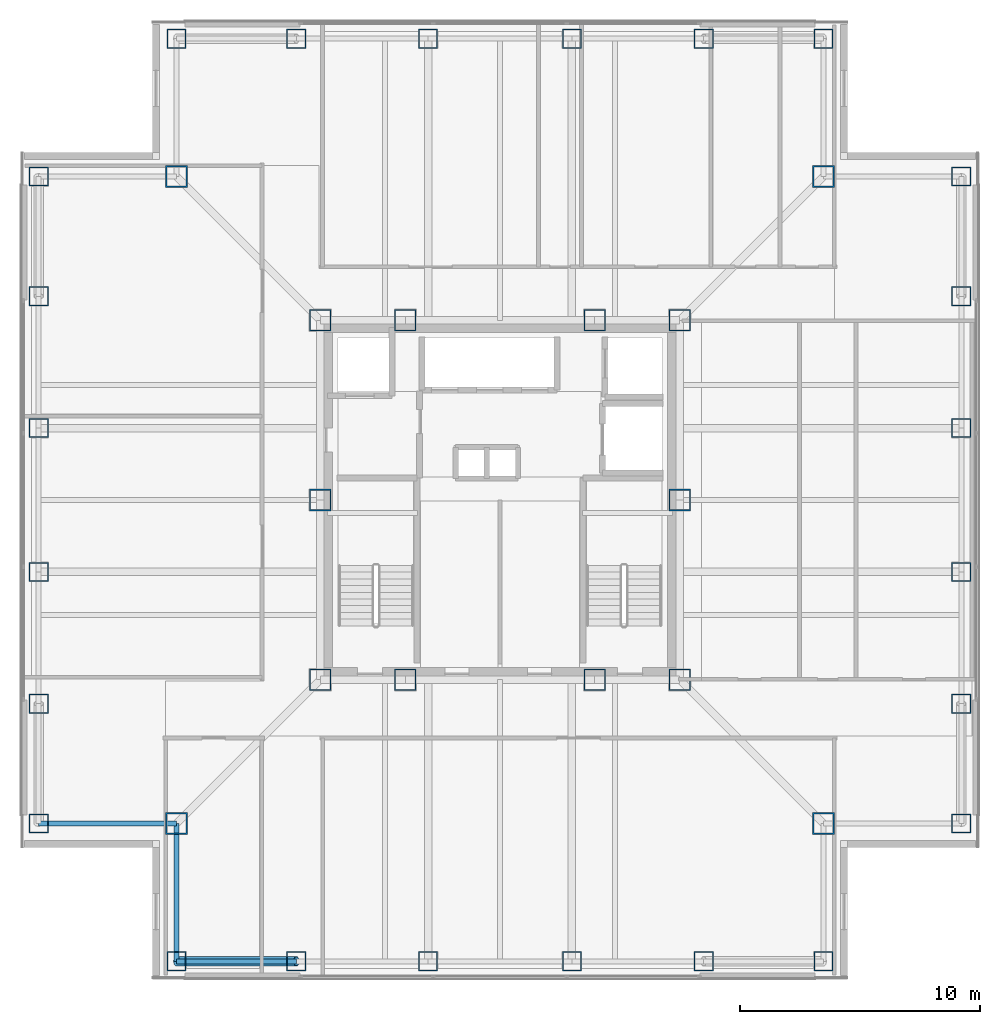
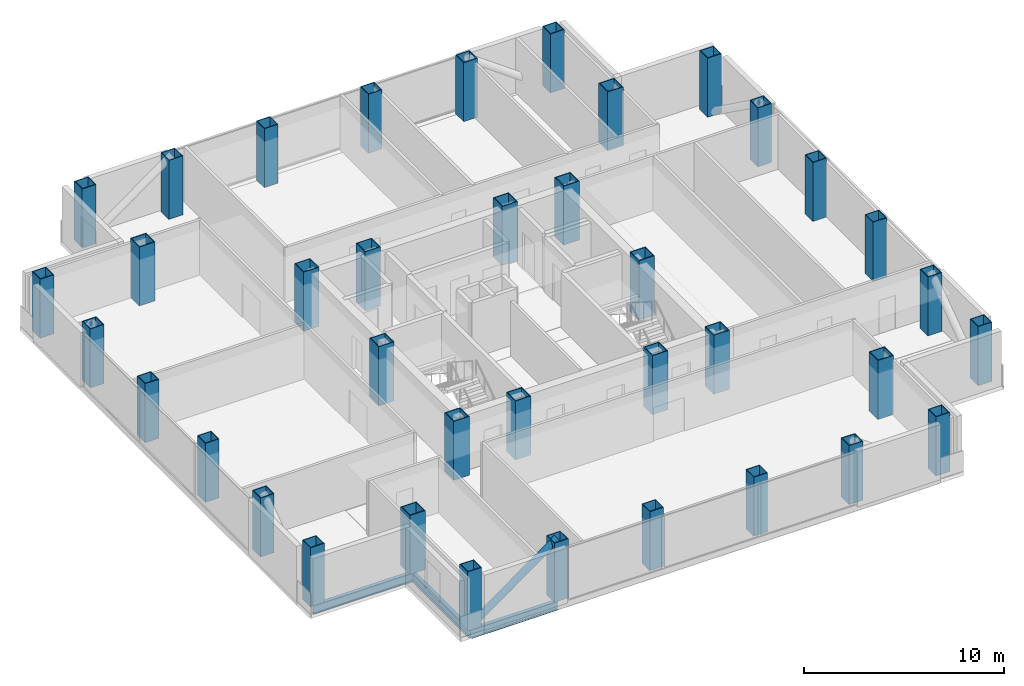
# One storey, part 1 of 16: 38 columns, 3 beams, 1 member.
"""IFC4 building model written with IfcOpenShell, lengths in metres."""

from ifc_helpers import new_model, si_unit, direction, frame, origin, origin_2d, place, context, subcontext, project, spatial, hollow_rectangle, hollow_circle, i_section, extrude, material, material_profile, profile_set, type_object, element, save


model = new_model("IFC4")

# Units and contexts
model_context = context("Model", 3, precision=1e-05, world=origin(), true_north=direction((0.0, 1.0)))
body_context = subcontext(model_context, "Body", "Model", "MODEL_VIEW")
ifc_project = project(units=[si_unit("LENGTHUNIT", "METRE"), si_unit("AREAUNIT", "SQUARE_METRE"), si_unit("VOLUMEUNIT", "CUBIC_METRE"), si_unit("PLANEANGLEUNIT", "RADIAN"), si_unit("MASSUNIT", "GRAM", prefix="KILO")], contexts=[model_context])

# Site, building, storey
site_placement = place(None, origin())
site = spatial("IfcSite", under=ifc_project, at=site_placement, CompositionType="ELEMENT")
building_placement = place(site_placement, origin())
building = spatial("IfcBuilding", under=site, at=building_placement, Name="Trevonay Congress Spire", CompositionType="ELEMENT")
storey_placement = place(building_placement, frame((0.0, 0.0, 180.60009765625)))
storey = spatial("IfcBuildingStorey", under=building, at=storey_placement, Name="L46", CompositionType="ELEMENT", Elevation=180.60009765625)

# Columns
ifc_material_1 = material(Name="Steel ASTM A572 Grade 50", Category="steel")
ifc_material_profile_1 = material_profile(ifc_material_1, hollow_rectangle(XDim=0.89990234375, YDim=0.89990234375, WallThickness=0.044921875, at=origin_2d()), Name="BOX 900x900x45")
ifc_profile_set_1 = profile_set([ifc_material_profile_1], Name="Steel ASTM A572 Grade 50")
column_type_1 = type_object("IfcColumnType", Name="COL-CORE-BOX900", PredefinedType="COLUMN", material=ifc_profile_set_1)
for number, where, z_axis, x_axis, name in (
    (1, (-7.5, -7.5, 0.0), (0.0, 0.0, 1.0), (1.0, 0.0, 0.0), "L46 column C04 at CC-SW"),
    (2, (-3.949951171875, -7.5, 0.0), (0.0, 0.0, 1.0), (1.0, 0.0, 0.0), "L46 column C04 at CC-SMW"),
    (3, (3.949951171875, -7.5, 0.0), (0.0, 0.0, 1.0), (1.0, 0.0, 0.0), "L46 column C04 at CC-SME"),
    (4, (7.5, -7.5, 0.0), (0.0, 0.0, 1.0), (1.0, 0.0, 0.0), "L46 column C04 at CC-SE"),
    (5, (7.5, 0.0, 0.0), (0.0, 0.0, 1.0), (1.0, 0.0, 0.0), "L46 column C04 at CC-E"),
    (6, (7.5, 7.5, 0.0), (0.0, 0.0, 1.0), (1.0, 0.0, 0.0), "L46 column C04 at CC-NE"),
    (7, (3.949951171875, 7.5, 0.0), (0.0, 0.0, 1.0), (1.0, 0.0, 0.0), "L46 column C04 at CC-NME"),
    (8, (-3.949951171875, 7.5, 0.0), (0.0, 0.0, 1.0), (1.0, 0.0, 0.0), "L46 column C04 at CC-NMW"),
    (9, (-7.5, 7.5, 0.0), (0.0, 0.0, 1.0), (1.0, 0.0, 0.0), "L46 column C04 at CC-NW"),
    (10, (-7.5, 0.0, 0.0), (0.0, 0.0, 1.0), (1.0, 0.0, 0.0), "L46 column C04 at CC-W"),
):
    element("IfcColumn", number, at=place(storey_placement, frame(where, z_axis=z_axis, x_axis=x_axis)), inside=storey, type_object=column_type_1, Name=name, PredefinedType="COLUMN", context=body_context, shape_type="SweptSolid", body=[
        extrude(hollow_rectangle(XDim=0.89990234375, YDim=0.89990234375, WallThickness=0.044921875, at=origin_2d()), origin(), (0.0, 0.0, 1.0), 3.599853515625),
    ])
ifc_material_profile_2 = material_profile(ifc_material_1, hollow_rectangle(XDim=0.800048828125, YDim=0.800048828125, WallThickness=0.0400390625, at=origin_2d()), Name="BOX 800x800x40")
ifc_profile_set_2 = profile_set([ifc_material_profile_2], Name="Steel ASTM A572 Grade 50")
column_type_2 = type_object("IfcColumnType", Name="COL-TUBE-BOX800", PredefinedType="COLUMN", material=ifc_profile_set_2)
for number, where, z_axis, x_axis, name in (
    (11, (-13.5, -19.25, 0.0), (0.0, 0.0, 1.0), (1.0, 0.0, 0.0), "L46 column C16 at TS-1"),
    (12, (-13.5, 19.25, 0.0), (0.0, 0.0, 1.0), (1.0, 0.0, 0.0), "L46 column C16 at TN-1"),
    (13, (-19.25, -13.5, 0.0), (0.0, 0.0, 1.0), (1.0, 0.0, 0.0), "L46 column C16 at TW-1"),
    (14, (19.25, -13.5, 0.0), (0.0, 0.0, 1.0), (1.0, 0.0, 0.0), "L46 column C16 at TE-1"),
    (15, (-8.5, -19.25, 0.0), (0.0, 0.0, 1.0), (1.0, 0.0, 0.0), "L46 column C16 at TS-2"),
    (16, (-8.5, 19.25, 0.0), (0.0, 0.0, 1.0), (1.0, 0.0, 0.0), "L46 column C16 at TN-2"),
    (17, (-19.25, -8.5, 0.0), (0.0, 0.0, 1.0), (1.0, 0.0, 0.0), "L46 column C16 at TW-2"),
    (18, (19.25, -8.5, 0.0), (0.0, 0.0, 1.0), (1.0, 0.0, 0.0), "L46 column C16 at TE-2"),
    (19, (-3.0, -19.25, 0.0), (0.0, 0.0, 1.0), (1.0, 0.0, 0.0), "L46 column C16 at TS-3"),
    (20, (-3.0, 19.25, 0.0), (0.0, 0.0, 1.0), (1.0, 0.0, 0.0), "L46 column C16 at TN-3"),
    (21, (-19.25, -3.0, 0.0), (0.0, 0.0, 1.0), (1.0, 0.0, 0.0), "L46 column C16 at TW-3"),
    (22, (19.25, -3.0, 0.0), (0.0, 0.0, 1.0), (1.0, 0.0, 0.0), "L46 column C16 at TE-3"),
    (23, (3.0, -19.25, 0.0), (0.0, 0.0, 1.0), (1.0, 0.0, 0.0), "L46 column C16 at TS-4"),
    (24, (3.0, 19.25, 0.0), (0.0, 0.0, 1.0), (1.0, 0.0, 0.0), "L46 column C16 at TN-4"),
    (25, (-19.25, 3.0, 0.0), (0.0, 0.0, 1.0), (1.0, 0.0, 0.0), "L46 column C16 at TW-4"),
    (26, (19.25, 3.0, 0.0), (0.0, 0.0, 1.0), (1.0, 0.0, 0.0), "L46 column C16 at TE-4"),
    (27, (8.5, -19.25, 0.0), (0.0, 0.0, 1.0), (1.0, 0.0, 0.0), "L46 column C16 at TS-5"),
    (28, (8.5, 19.25, 0.0), (0.0, 0.0, 1.0), (1.0, 0.0, 0.0), "L46 column C16 at TN-5"),
    (29, (-19.25, 8.5, 0.0), (0.0, 0.0, 1.0), (1.0, 0.0, 0.0), "L46 column C16 at TW-5"),
    (30, (19.25, 8.5, 0.0), (0.0, 0.0, 1.0), (1.0, 0.0, 0.0), "L46 column C16 at TE-5"),
    (31, (13.5, -19.25, 0.0), (0.0, 0.0, 1.0), (1.0, 0.0, 0.0), "L46 column C16 at TS-6"),
    (32, (13.5, 19.25, 0.0), (0.0, 0.0, 1.0), (1.0, 0.0, 0.0), "L46 column C16 at TN-6"),
    (33, (-19.25, 13.5, 0.0), (0.0, 0.0, 1.0), (1.0, 0.0, 0.0), "L46 column C16 at TW-6"),
    (34, (19.25, 13.5, 0.0), (0.0, 0.0, 1.0), (1.0, 0.0, 0.0), "L46 column C16 at TE-6"),
):
    element("IfcColumn", number, at=place(storey_placement, frame(where, z_axis=z_axis, x_axis=x_axis)), inside=storey, type_object=column_type_2, Name=name, PredefinedType="COLUMN", context=body_context, shape_type="SweptSolid", body=[
        extrude(hollow_rectangle(XDim=0.800048828125, YDim=0.800048828125, WallThickness=0.0400390625, at=origin_2d()), origin(), (0.0, 0.0, 1.0), 3.599853515625),
    ])
ifc_material_profile_3 = material_profile(ifc_material_1, hollow_rectangle(XDim=0.89990234375, YDim=0.89990234375, WallThickness=0.044921875, at=origin_2d()), Name="BOX 900x900x45")
ifc_profile_set_3 = profile_set([ifc_material_profile_3], Name="Steel ASTM A572 Grade 50")
column_type_3 = type_object("IfcColumnType", Name="COL-TUBE-BOX900", PredefinedType="COLUMN", material=ifc_profile_set_3)
for number, where, z_axis, x_axis, name in (
    (35, (-13.5, -13.5, 0.0), (0.0, 0.0, 1.0), (1.0, 0.0, 0.0), "L46 column C15 at NC-SW"),
    (36, (13.5, -13.5, 0.0), (0.0, 0.0, 1.0), (1.0, 0.0, 0.0), "L46 column C15 at NC-SE"),
    (37, (13.5, 13.5, 0.0), (0.0, 0.0, 1.0), (1.0, 0.0, 0.0), "L46 column C15 at NC-NE"),
    (38, (-13.5, 13.5, 0.0), (0.0, 0.0, 1.0), (1.0, 0.0, 0.0), "L46 column C15 at NC-NW"),
):
    element("IfcColumn", number, at=place(storey_placement, frame(where, z_axis=z_axis, x_axis=x_axis)), inside=storey, type_object=column_type_3, Name=name, PredefinedType="COLUMN", context=body_context, shape_type="SweptSolid", body=[
        extrude(hollow_rectangle(XDim=0.89990234375, YDim=0.89990234375, WallThickness=0.044921875, at=origin_2d()), origin(), (0.0, 0.0, 1.0), 3.599853515625),
    ])

# Beams
ifc_material_profile_4 = material_profile(ifc_material_1, i_section(OverallWidth=0.2119140625, OverallDepth=0.5439453125, WebThickness=0.01318359375, FlangeThickness=0.021240234375, FilletRadius=0.014892578125, at=origin_2d()), Name="W530x123")
ifc_profile_set_4 = profile_set([ifc_material_profile_4], Name="Steel ASTM A572 Grade 50")
beam_type = type_object("IfcBeamType", Name="BM-RING-W530X123", PredefinedType="BEAM", material=ifc_profile_set_4)
beam_placement = place(storey_placement, frame((-13.5, -19.25, -0.51220703125), z_axis=(1.0, 0.0, 0.0), x_axis=(0.0, 1.0, 0.0)))
element("IfcBeam", 39, at=beam_placement, inside=storey, type_object=beam_type, Name="L46 structural beam BM-L46-PS1", PredefinedType="BEAM", context=body_context, shape_type="SweptSolid", body=[
    extrude(i_section(OverallWidth=0.2119140625, OverallDepth=0.5439453125, WebThickness=0.01318359375, FlangeThickness=0.021240234375, FilletRadius=0.014892578125, at=origin_2d()), origin(), (0.0, 0.0, 1.0), 5.0),
])
for number, where, z_axis, x_axis, name in (
    (40, (-13.5, -19.25, -0.51220703125), (0.0, 1.0, 0.0), (-1.0, 0.0, 0.0), "L46 structural beam BM-L46-N1SW"),
    (41, (-19.25, -13.5, -0.51220703125), (1.0, 0.0, 0.0), (0.0, 1.0, 0.0), "L46 structural beam BM-L46-N2SW"),
):
    element("IfcBeam", number, at=place(storey_placement, frame(where, z_axis=z_axis, x_axis=x_axis)), inside=storey, type_object=beam_type, Name=name, PredefinedType="BEAM", context=body_context, shape_type="SweptSolid", body=[
        extrude(i_section(OverallWidth=0.2119140625, OverallDepth=0.5439453125, WebThickness=0.01318359375, FlangeThickness=0.021240234375, FilletRadius=0.014892578125, at=origin_2d()), origin(), (0.0, 0.0, 1.0), 5.75),
    ])

# Member
ifc_material_2 = material(Name="Steel ASTM A500 Grade C", Category="steel")
ifc_material_profile_5 = material_profile(ifc_material_2, hollow_circle(Radius=0.203125, WallThickness=0.02001953125, at=origin_2d()), Name="CHS 406.4x20")
ifc_profile_set_5 = profile_set([ifc_material_profile_5], Name="Steel ASTM A500 Grade C")
member_type = type_object("IfcMemberType", Name="MBR-TUBE-CHS406", PredefinedType="BRACE", material=ifc_profile_set_5)
member_placement = place(storey_placement, frame((-13.5, -19.25, -0.050048828125), z_axis=(0.811545615365, 0.0, 0.584289067313), x_axis=(0.0, 1.0, 0.0)))
element("IfcMember", 42, at=member_placement, inside=storey, type_object=member_type, Name="L46 perimeter braced-tube diagonal S0", PredefinedType="BRACE", context=body_context, shape_type="SweptSolid", body=[
    extrude(hollow_circle(Radius=0.203125, WallThickness=0.02001953125, at=origin_2d()), origin(), (0.0, 0.0, 1.0), 6.1611328125),
])

save(model, "model.ifc")
